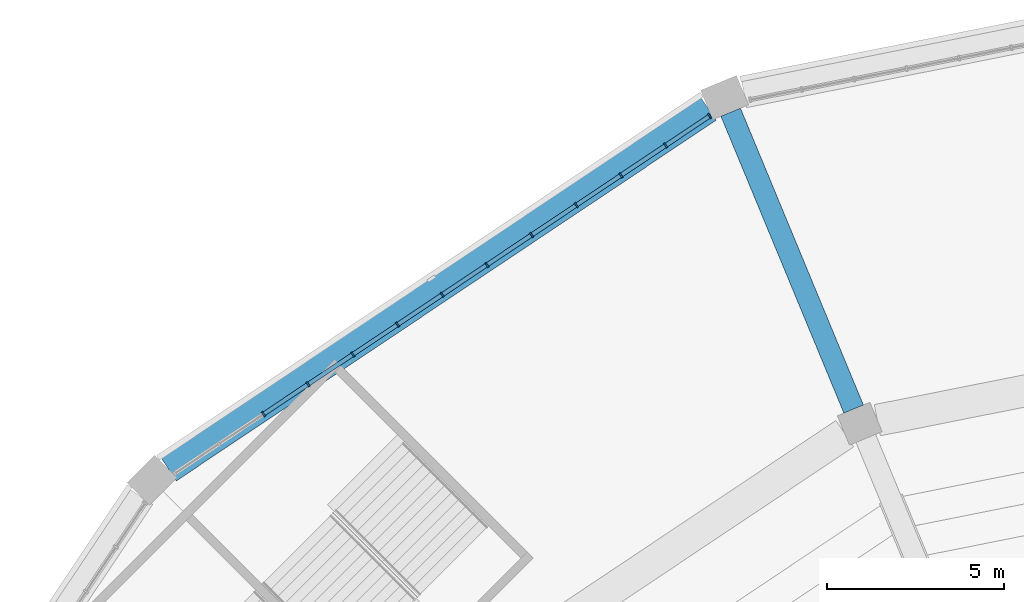
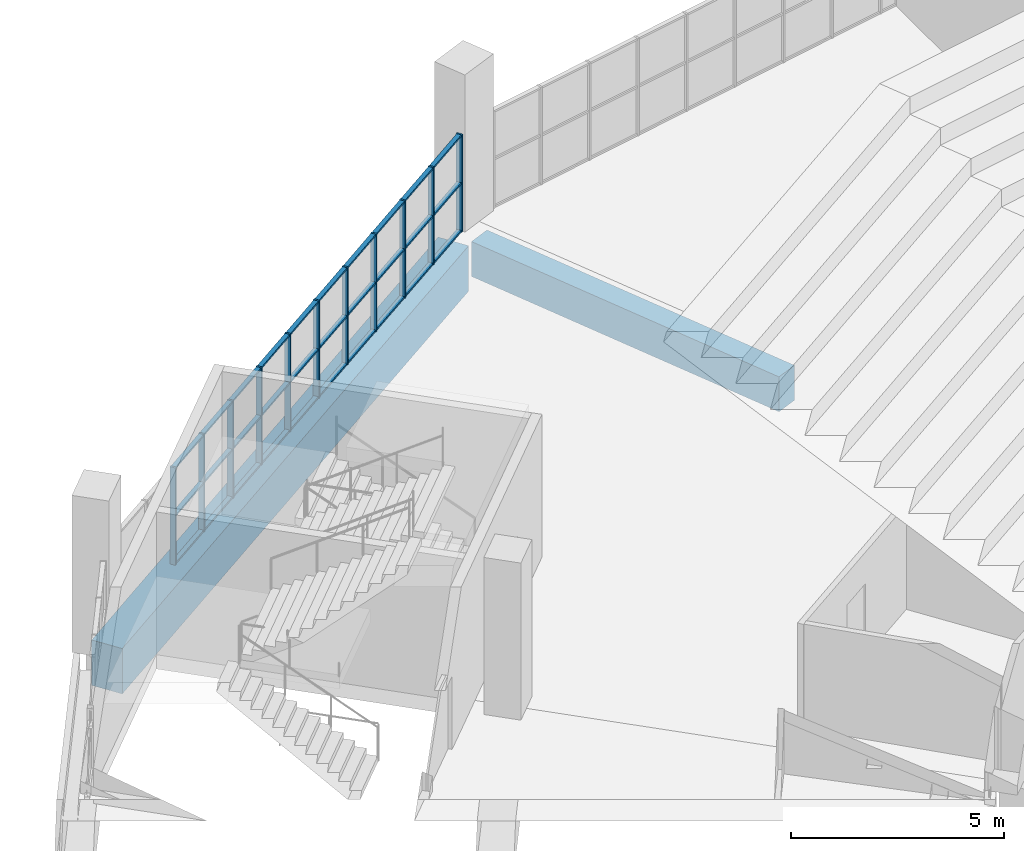
# One storey, part 48 of 249: 41 members, 2 beams, 1 element without a shape of its own.
"""IFC4 building model written with IfcOpenShell, lengths in metres."""

from ifc_helpers import new_model, si_unit, direction, frame, origin, origin_2d, place, context, subcontext, project, spatial, rectangle, extrude, material, material_profile, profile_set, type_object, element, aggregate, save


model = new_model("IFC4")

# Units and contexts
model_context = context("Model", 3, precision=1e-05, world=origin(), true_north=direction((0.0, 1.0)))
body_context = subcontext(model_context, "Body", "Model", "MODEL_VIEW")
ifc_project = project(units=[si_unit("LENGTHUNIT", "METRE"), si_unit("AREAUNIT", "SQUARE_METRE"), si_unit("VOLUMEUNIT", "CUBIC_METRE"), si_unit("PLANEANGLEUNIT", "RADIAN"), si_unit("MASSUNIT", "GRAM", prefix="KILO")], contexts=[model_context])

# Site, building, storey
site_placement = place(None, origin())
site = spatial("IfcSite", under=ifc_project, at=site_placement, CompositionType="ELEMENT")
building_placement = place(site_placement, origin())
building = spatial("IfcBuilding", under=site, at=building_placement, Name="Ogive Plaza Stadium", CompositionType="ELEMENT")
storey_placement = place(building_placement, frame((0.0, 0.0, 13.5)))
storey = spatial("IfcBuildingStorey", under=building, at=storey_placement, Name="L03", CompositionType="ELEMENT", Elevation=13.5)

# Curtain wall, members
ifc_material_1 = material(Name="Bronze-anodised aluminium with laminated glass", Category="aluminium")
curtain_wall_type = type_object("IfcCurtainWallType", Name="Lancet curtain wall", PredefinedType="NOTDEFINED", material=ifc_material_1)
curtain_wall_placement = place(storey_placement, origin())
curtain_wall = element("IfcCurtainWall", 1, at=curtain_wall_placement, inside=storey, type_object=curtain_wall_type, Name="CURTAIN WALL B30 L03", PredefinedType="NOTDEFINED")
ifc_material_2 = material(Name="Bronze-anodised aluminium", Category="aluminium")
ifc_material_profile_1 = material_profile(ifc_material_2, rectangle(XDim=0.14990234375, YDim=0.050048828125, at=origin_2d()), Name="AL 150x50")
ifc_profile_set_1 = profile_set([ifc_material_profile_1], Name="Bronze-anodised aluminium")
member_type_1 = type_object("IfcMemberType", Name="Curtain wall mullion 50x150", PredefinedType="MULLION", material=ifc_profile_set_1)
member_1_placement = place(storey_placement, frame((-66.19677734375, 89.725341796875, 0.0), z_axis=(0.0, 0.0, 1.0), x_axis=(-0.55557023302, 0.831469612303, 0.0)))
member_1 = element("IfcMember", 2, at=member_1_placement, type_object=member_type_1, Name="CW-B30-L03 mullion 3", PredefinedType="MULLION", context=body_context, shape_type="SweptSolid", body=[
    extrude(rectangle(XDim=0.14990234375, YDim=0.050048828125, at=origin_2d()), origin(), (0.0, 0.0, 1.0), 2.7900390625),
])
member_2_placement = place(storey_placement, frame((-64.930908203125, 90.571044921875, 0.0), z_axis=(0.0, 0.0, 1.0), x_axis=(-0.55557023302, 0.831469612303, 0.0)))
member_2 = element("IfcMember", 3, at=member_2_placement, type_object=member_type_1, Name="CW-B30-L03 mullion 4", PredefinedType="MULLION", context=body_context, shape_type="SweptSolid", body=[
    extrude(rectangle(XDim=0.14990234375, YDim=0.050048828125, at=origin_2d()), origin(), (0.0, 0.0, 1.0), 2.7900390625),
])
member_3_placement = place(storey_placement, frame((-63.665283203125, 91.416748046875, 0.0), z_axis=(0.0, 0.0, 1.0), x_axis=(-0.55557023302, 0.831469612303, 0.0)))
member_3 = element("IfcMember", 4, at=member_3_placement, type_object=member_type_1, Name="CW-B30-L03 mullion 5", PredefinedType="MULLION", context=body_context, shape_type="SweptSolid", body=[
    extrude(rectangle(XDim=0.14990234375, YDim=0.050048828125, at=origin_2d()), origin(), (0.0, 0.0, 1.0), 2.7900390625),
])
member_4_placement = place(storey_placement, frame((-62.3994140625, 92.2626953125, 0.0), z_axis=(0.0, 0.0, 1.0), x_axis=(-0.55557023302, 0.831469612303, 0.0)))
member_4 = element("IfcMember", 5, at=member_4_placement, type_object=member_type_1, Name="CW-B30-L03 mullion 6", PredefinedType="MULLION", context=body_context, shape_type="SweptSolid", body=[
    extrude(rectangle(XDim=0.14990234375, YDim=0.050048828125, at=origin_2d()), origin(), (0.0, 0.0, 1.0), 2.7900390625),
])
member_5_placement = place(storey_placement, frame((-61.133544921875, 93.1083984375, 0.0), z_axis=(0.0, 0.0, 1.0), x_axis=(-0.55557023302, 0.831469612303, 0.0)))
member_5 = element("IfcMember", 6, at=member_5_placement, type_object=member_type_1, Name="CW-B30-L03 mullion 7", PredefinedType="MULLION", context=body_context, shape_type="SweptSolid", body=[
    extrude(rectangle(XDim=0.14990234375, YDim=0.050048828125, at=origin_2d()), origin(), (0.0, 0.0, 1.0), 2.7900390625),
])
member_6_placement = place(storey_placement, frame((-59.867919921875, 93.9541015625, 0.0), z_axis=(0.0, 0.0, 1.0), x_axis=(-0.55557023302, 0.831469612303, 0.0)))
member_6 = element("IfcMember", 7, at=member_6_placement, type_object=member_type_1, Name="CW-B30-L03 mullion 8", PredefinedType="MULLION", context=body_context, shape_type="SweptSolid", body=[
    extrude(rectangle(XDim=0.14990234375, YDim=0.050048828125, at=origin_2d()), origin(), (0.0, 0.0, 1.0), 2.7900390625),
])
member_7_placement = place(storey_placement, frame((-58.60205078125, 94.7998046875, 0.0), z_axis=(0.0, 0.0, 1.0), x_axis=(-0.55557023302, 0.831469612303, 0.0)))
member_7 = element("IfcMember", 8, at=member_7_placement, type_object=member_type_1, Name="CW-B30-L03 mullion 9", PredefinedType="MULLION", context=body_context, shape_type="SweptSolid", body=[
    extrude(rectangle(XDim=0.14990234375, YDim=0.050048828125, at=origin_2d()), origin(), (0.0, 0.0, 1.0), 2.7900390625),
])
member_8_placement = place(storey_placement, frame((-57.336181640625, 95.645751953125, 0.0), z_axis=(0.0, 0.0, 1.0), x_axis=(-0.55557023302, 0.831469612303, 0.0)))
member_8 = element("IfcMember", 9, at=member_8_placement, type_object=member_type_1, Name="CW-B30-L03 mullion 10", PredefinedType="MULLION", context=body_context, shape_type="SweptSolid", body=[
    extrude(rectangle(XDim=0.14990234375, YDim=0.050048828125, at=origin_2d()), origin(), (0.0, 0.0, 1.0), 2.7900390625),
])
member_9_placement = place(storey_placement, frame((-56.070556640625, 96.491455078125, 0.0), z_axis=(0.0, 0.0, 1.0), x_axis=(-0.55557023302, 0.831469612303, 0.0)))
member_9 = element("IfcMember", 10, at=member_9_placement, type_object=member_type_1, Name="CW-B30-L03 mullion 11", PredefinedType="MULLION", context=body_context, shape_type="SweptSolid", body=[
    extrude(rectangle(XDim=0.14990234375, YDim=0.050048828125, at=origin_2d()), origin(), (0.0, 0.0, 1.0), 2.7900390625),
])
member_10_placement = place(storey_placement, frame((-54.8046875, 97.337158203125, 0.0), z_axis=(0.0, 0.0, 1.0), x_axis=(-0.55557023302, 0.831469612303, 0.0)))
member_10 = element("IfcMember", 11, at=member_10_placement, type_object=member_type_1, Name="CW-B30-L03 mullion 12", PredefinedType="MULLION", context=body_context, shape_type="SweptSolid", body=[
    extrude(rectangle(XDim=0.14990234375, YDim=0.050048828125, at=origin_2d()), origin(), (0.0, 0.0, 1.0), 2.7900390625),
])
member_11_placement = place(storey_placement, frame((-53.559814453125, 98.169189453125, 0.0), z_axis=(0.0, 0.0, 1.0), x_axis=(-0.55557023302, 0.831469612303, 0.0)))
member_11 = element("IfcMember", 12, at=member_11_placement, type_object=member_type_1, Name="CW-B30-L03 mullion 13", PredefinedType="MULLION", context=body_context, shape_type="SweptSolid", body=[
    extrude(rectangle(XDim=0.14990234375, YDim=0.050048828125, at=origin_2d()), origin(), (0.0, 0.0, 1.0), 2.7900390625),
])
ifc_material_3 = material(Name="Bronze-anodised aluminium", Category="aluminium")
ifc_material_profile_2 = material_profile(ifc_material_3, rectangle(XDim=0.1201171875, YDim=0.050048828125, at=origin_2d()), Name="AL 120x50")
ifc_profile_set_2 = profile_set([ifc_material_profile_2], Name="Bronze-anodised aluminium")
member_type_2 = type_object("IfcMemberType", Name="Curtain wall transom 50x120", PredefinedType="USERDEFINED", material=ifc_profile_set_2)
member_12_placement = place(storey_placement, frame((-66.176025390625, 89.7392578125, 0.02490234375), z_axis=(0.83153975619, 0.555465240925, 0.0), x_axis=(-0.555465240925, 0.83153975619, 0.0)))
member_12 = element("IfcMember", 13, at=member_12_placement, type_object=member_type_2, Name="CW-B30-L03 transom 3.1", ObjectType="TRANSOM", PredefinedType="USERDEFINED", context=body_context, shape_type="SweptSolid", body=[
    extrude(rectangle(XDim=0.1201171875, YDim=0.050048828125, at=origin_2d()), origin(), (0.0, 0.0, 1.0), 1.472412109375),
])
member_13_placement = place(storey_placement, frame((-66.176025390625, 89.7392578125, 1.39501953125), z_axis=(0.83153975619, 0.555465240925, 0.0), x_axis=(-0.555465240925, 0.83153975619, 0.0)))
member_13 = element("IfcMember", 14, at=member_13_placement, type_object=member_type_2, Name="CW-B30-L03 transom 3.2", ObjectType="TRANSOM", PredefinedType="USERDEFINED", context=body_context, shape_type="SweptSolid", body=[
    extrude(rectangle(XDim=0.1201171875, YDim=0.050048828125, at=origin_2d()), origin(), (0.0, 0.0, 1.0), 1.472412109375),
])
member_14_placement = place(storey_placement, frame((-66.176025390625, 89.7392578125, 2.764892578125), z_axis=(0.83153975619, 0.555465240925, 0.0), x_axis=(-0.555465240925, 0.83153975619, 0.0)))
member_14 = element("IfcMember", 15, at=member_14_placement, type_object=member_type_2, Name="CW-B30-L03 transom 3.3", ObjectType="TRANSOM", PredefinedType="USERDEFINED", context=body_context, shape_type="SweptSolid", body=[
    extrude(rectangle(XDim=0.1201171875, YDim=0.050048828125, at=origin_2d()), origin(), (0.0, 0.0, 1.0), 1.472412109375),
])
member_15_placement = place(storey_placement, frame((-64.91015625, 90.5849609375, 0.02490234375), z_axis=(0.831488586159, 0.555541835587, 0.0), x_axis=(-0.555541835587, 0.831488586159, 0.0)))
member_15 = element("IfcMember", 16, at=member_15_placement, type_object=member_type_2, Name="CW-B30-L03 transom 4.1", ObjectType="TRANSOM", PredefinedType="USERDEFINED", context=body_context, shape_type="SweptSolid", body=[
    extrude(rectangle(XDim=0.1201171875, YDim=0.050048828125, at=origin_2d()), origin(), (0.0, 0.0, 1.0), 1.47216796875),
])
member_16_placement = place(storey_placement, frame((-64.91015625, 90.5849609375, 1.39501953125), z_axis=(0.831488586159, 0.555541835587, 0.0), x_axis=(-0.555541835587, 0.831488586159, 0.0)))
member_16 = element("IfcMember", 17, at=member_16_placement, type_object=member_type_2, Name="CW-B30-L03 transom 4.2", ObjectType="TRANSOM", PredefinedType="USERDEFINED", context=body_context, shape_type="SweptSolid", body=[
    extrude(rectangle(XDim=0.1201171875, YDim=0.050048828125, at=origin_2d()), origin(), (0.0, 0.0, 1.0), 1.47216796875),
])
member_17_placement = place(storey_placement, frame((-64.91015625, 90.5849609375, 2.764892578125), z_axis=(0.831488586159, 0.555541835587, 0.0), x_axis=(-0.555541835587, 0.831488586159, 0.0)))
member_17 = element("IfcMember", 18, at=member_17_placement, type_object=member_type_2, Name="CW-B30-L03 transom 4.3", ObjectType="TRANSOM", PredefinedType="USERDEFINED", context=body_context, shape_type="SweptSolid", body=[
    extrude(rectangle(XDim=0.1201171875, YDim=0.050048828125, at=origin_2d()), origin(), (0.0, 0.0, 1.0), 1.47216796875),
])
member_18_placement = place(storey_placement, frame((-63.64453125, 91.4306640625, 0.02490234375), z_axis=(0.831463168883, 0.555579876157, 0.0), x_axis=(-0.555579876157, 0.831463168883, 0.0)))
member_18 = element("IfcMember", 19, at=member_18_placement, type_object=member_type_2, Name="CW-B30-L03 transom 5.1", ObjectType="TRANSOM", PredefinedType="USERDEFINED", context=body_context, shape_type="SweptSolid", body=[
    extrude(rectangle(XDim=0.1201171875, YDim=0.050048828125, at=origin_2d()), origin(), (0.0, 0.0, 1.0), 1.47265625),
])
member_19_placement = place(storey_placement, frame((-63.64453125, 91.4306640625, 1.39501953125), z_axis=(0.831463168883, 0.555579876157, 0.0), x_axis=(-0.555579876157, 0.831463168883, 0.0)))
member_19 = element("IfcMember", 20, at=member_19_placement, type_object=member_type_2, Name="CW-B30-L03 transom 5.2", ObjectType="TRANSOM", PredefinedType="USERDEFINED", context=body_context, shape_type="SweptSolid", body=[
    extrude(rectangle(XDim=0.1201171875, YDim=0.050048828125, at=origin_2d()), origin(), (0.0, 0.0, 1.0), 1.47265625),
])
member_20_placement = place(storey_placement, frame((-63.64453125, 91.4306640625, 2.764892578125), z_axis=(0.831463168883, 0.555579876157, 0.0), x_axis=(-0.555579876157, 0.831463168883, 0.0)))
member_20 = element("IfcMember", 21, at=member_20_placement, type_object=member_type_2, Name="CW-B30-L03 transom 5.3", ObjectType="TRANSOM", PredefinedType="USERDEFINED", context=body_context, shape_type="SweptSolid", body=[
    extrude(rectangle(XDim=0.1201171875, YDim=0.050048828125, at=origin_2d()), origin(), (0.0, 0.0, 1.0), 1.47265625),
])
member_21_placement = place(storey_placement, frame((-62.378662109375, 92.2763671875, 0.02490234375), z_axis=(0.831411982446, 0.555656472512, 0.0), x_axis=(-0.555656472512, 0.831411982446, 0.0)))
member_21 = element("IfcMember", 22, at=member_21_placement, type_object=member_type_2, Name="CW-B30-L03 transom 6.1", ObjectType="TRANSOM", PredefinedType="USERDEFINED", context=body_context, shape_type="SweptSolid", body=[
    extrude(rectangle(XDim=0.1201171875, YDim=0.050048828125, at=origin_2d()), origin(), (0.0, 0.0, 1.0), 1.472412109375),
])
member_22_placement = place(storey_placement, frame((-62.378662109375, 92.2763671875, 1.39501953125), z_axis=(0.831411982446, 0.555656472512, 0.0), x_axis=(-0.555656472512, 0.831411982446, 0.0)))
member_22 = element("IfcMember", 23, at=member_22_placement, type_object=member_type_2, Name="CW-B30-L03 transom 6.2", ObjectType="TRANSOM", PredefinedType="USERDEFINED", context=body_context, shape_type="SweptSolid", body=[
    extrude(rectangle(XDim=0.1201171875, YDim=0.050048828125, at=origin_2d()), origin(), (0.0, 0.0, 1.0), 1.472412109375),
])
member_23_placement = place(storey_placement, frame((-62.378662109375, 92.2763671875, 2.764892578125), z_axis=(0.831411982446, 0.555656472512, 0.0), x_axis=(-0.555656472512, 0.831411982446, 0.0)))
member_23 = element("IfcMember", 24, at=member_23_placement, type_object=member_type_2, Name="CW-B30-L03 transom 6.3", ObjectType="TRANSOM", PredefinedType="USERDEFINED", context=body_context, shape_type="SweptSolid", body=[
    extrude(rectangle(XDim=0.1201171875, YDim=0.050048828125, at=origin_2d()), origin(), (0.0, 0.0, 1.0), 1.472412109375),
])
member_24_placement = place(storey_placement, frame((-61.11279296875, 93.122314453125, 0.02490234375), z_axis=(0.831488586159, 0.555541835587, 0.0), x_axis=(-0.555541835587, 0.831488586159, 0.0)))
member_24 = element("IfcMember", 25, at=member_24_placement, type_object=member_type_2, Name="CW-B30-L03 transom 7.1", ObjectType="TRANSOM", PredefinedType="USERDEFINED", context=body_context, shape_type="SweptSolid", body=[
    extrude(rectangle(XDim=0.1201171875, YDim=0.050048828125, at=origin_2d()), origin(), (0.0, 0.0, 1.0), 1.47216796875),
])
member_25_placement = place(storey_placement, frame((-61.11279296875, 93.122314453125, 1.39501953125), z_axis=(0.831488586159, 0.555541835587, 0.0), x_axis=(-0.555541835587, 0.831488586159, 0.0)))
member_25 = element("IfcMember", 26, at=member_25_placement, type_object=member_type_2, Name="CW-B30-L03 transom 7.2", ObjectType="TRANSOM", PredefinedType="USERDEFINED", context=body_context, shape_type="SweptSolid", body=[
    extrude(rectangle(XDim=0.1201171875, YDim=0.050048828125, at=origin_2d()), origin(), (0.0, 0.0, 1.0), 1.47216796875),
])
member_26_placement = place(storey_placement, frame((-61.11279296875, 93.122314453125, 2.764892578125), z_axis=(0.831488586159, 0.555541835587, 0.0), x_axis=(-0.555541835587, 0.831488586159, 0.0)))
member_26 = element("IfcMember", 27, at=member_26_placement, type_object=member_type_2, Name="CW-B30-L03 transom 7.3", ObjectType="TRANSOM", PredefinedType="USERDEFINED", context=body_context, shape_type="SweptSolid", body=[
    extrude(rectangle(XDim=0.1201171875, YDim=0.050048828125, at=origin_2d()), origin(), (0.0, 0.0, 1.0), 1.47216796875),
])
member_27_placement = place(storey_placement, frame((-59.84716796875, 93.968017578125, 0.02490234375), z_axis=(0.831463168883, 0.555579876157, 0.0), x_axis=(-0.555579876157, 0.831463168883, 0.0)))
member_27 = element("IfcMember", 28, at=member_27_placement, type_object=member_type_2, Name="CW-B30-L03 transom 8.1", ObjectType="TRANSOM", PredefinedType="USERDEFINED", context=body_context, shape_type="SweptSolid", body=[
    extrude(rectangle(XDim=0.1201171875, YDim=0.050048828125, at=origin_2d()), origin(), (0.0, 0.0, 1.0), 1.47265625),
])
member_28_placement = place(storey_placement, frame((-59.84716796875, 93.968017578125, 1.39501953125), z_axis=(0.831463168883, 0.555579876157, 0.0), x_axis=(-0.555579876157, 0.831463168883, 0.0)))
member_28 = element("IfcMember", 29, at=member_28_placement, type_object=member_type_2, Name="CW-B30-L03 transom 8.2", ObjectType="TRANSOM", PredefinedType="USERDEFINED", context=body_context, shape_type="SweptSolid", body=[
    extrude(rectangle(XDim=0.1201171875, YDim=0.050048828125, at=origin_2d()), origin(), (0.0, 0.0, 1.0), 1.47265625),
])
member_29_placement = place(storey_placement, frame((-59.84716796875, 93.968017578125, 2.764892578125), z_axis=(0.831463168883, 0.555579876157, 0.0), x_axis=(-0.555579876157, 0.831463168883, 0.0)))
member_29 = element("IfcMember", 30, at=member_29_placement, type_object=member_type_2, Name="CW-B30-L03 transom 8.3", ObjectType="TRANSOM", PredefinedType="USERDEFINED", context=body_context, shape_type="SweptSolid", body=[
    extrude(rectangle(XDim=0.1201171875, YDim=0.050048828125, at=origin_2d()), origin(), (0.0, 0.0, 1.0), 1.47265625),
])
member_30_placement = place(storey_placement, frame((-58.581298828125, 94.813720703125, 0.02490234375), z_axis=(0.831411982446, 0.555656472512, 0.0), x_axis=(-0.555656472512, 0.831411982446, 0.0)))
member_30 = element("IfcMember", 31, at=member_30_placement, type_object=member_type_2, Name="CW-B30-L03 transom 9.1", ObjectType="TRANSOM", PredefinedType="USERDEFINED", context=body_context, shape_type="SweptSolid", body=[
    extrude(rectangle(XDim=0.1201171875, YDim=0.050048828125, at=origin_2d()), origin(), (0.0, 0.0, 1.0), 1.472412109375),
])
member_31_placement = place(storey_placement, frame((-58.581298828125, 94.813720703125, 1.39501953125), z_axis=(0.831411982446, 0.555656472512, 0.0), x_axis=(-0.555656472512, 0.831411982446, 0.0)))
member_31 = element("IfcMember", 32, at=member_31_placement, type_object=member_type_2, Name="CW-B30-L03 transom 9.2", ObjectType="TRANSOM", PredefinedType="USERDEFINED", context=body_context, shape_type="SweptSolid", body=[
    extrude(rectangle(XDim=0.1201171875, YDim=0.050048828125, at=origin_2d()), origin(), (0.0, 0.0, 1.0), 1.472412109375),
])
member_32_placement = place(storey_placement, frame((-58.581298828125, 94.813720703125, 2.764892578125), z_axis=(0.831411982446, 0.555656472512, 0.0), x_axis=(-0.555656472512, 0.831411982446, 0.0)))
member_32 = element("IfcMember", 33, at=member_32_placement, type_object=member_type_2, Name="CW-B30-L03 transom 9.3", ObjectType="TRANSOM", PredefinedType="USERDEFINED", context=body_context, shape_type="SweptSolid", body=[
    extrude(rectangle(XDim=0.1201171875, YDim=0.050048828125, at=origin_2d()), origin(), (0.0, 0.0, 1.0), 1.472412109375),
])
member_33_placement = place(storey_placement, frame((-57.3154296875, 95.65966796875, 0.02490234375), z_axis=(0.831488586159, 0.555541835587, 0.0), x_axis=(-0.555541835587, 0.831488586159, 0.0)))
member_33 = element("IfcMember", 34, at=member_33_placement, type_object=member_type_2, Name="CW-B30-L03 transom 10.1", ObjectType="TRANSOM", PredefinedType="USERDEFINED", context=body_context, shape_type="SweptSolid", body=[
    extrude(rectangle(XDim=0.1201171875, YDim=0.050048828125, at=origin_2d()), origin(), (0.0, 0.0, 1.0), 1.47216796875),
])
member_34_placement = place(storey_placement, frame((-57.3154296875, 95.65966796875, 1.39501953125), z_axis=(0.831488586159, 0.555541835587, 0.0), x_axis=(-0.555541835587, 0.831488586159, 0.0)))
member_34 = element("IfcMember", 35, at=member_34_placement, type_object=member_type_2, Name="CW-B30-L03 transom 10.2", ObjectType="TRANSOM", PredefinedType="USERDEFINED", context=body_context, shape_type="SweptSolid", body=[
    extrude(rectangle(XDim=0.1201171875, YDim=0.050048828125, at=origin_2d()), origin(), (0.0, 0.0, 1.0), 1.47216796875),
])
member_35_placement = place(storey_placement, frame((-57.3154296875, 95.65966796875, 2.764892578125), z_axis=(0.831488586159, 0.555541835587, 0.0), x_axis=(-0.555541835587, 0.831488586159, 0.0)))
member_35 = element("IfcMember", 36, at=member_35_placement, type_object=member_type_2, Name="CW-B30-L03 transom 10.3", ObjectType="TRANSOM", PredefinedType="USERDEFINED", context=body_context, shape_type="SweptSolid", body=[
    extrude(rectangle(XDim=0.1201171875, YDim=0.050048828125, at=origin_2d()), origin(), (0.0, 0.0, 1.0), 1.47216796875),
])
member_36_placement = place(storey_placement, frame((-56.0498046875, 96.50537109375, 0.02490234375), z_axis=(0.83153975619, 0.555465240925, 0.0), x_axis=(-0.555465240925, 0.83153975619, 0.0)))
member_36 = element("IfcMember", 37, at=member_36_placement, type_object=member_type_2, Name="CW-B30-L03 transom 11.1", ObjectType="TRANSOM", PredefinedType="USERDEFINED", context=body_context, shape_type="SweptSolid", body=[
    extrude(rectangle(XDim=0.1201171875, YDim=0.050048828125, at=origin_2d()), origin(), (0.0, 0.0, 1.0), 1.472412109375),
])
member_37_placement = place(storey_placement, frame((-56.0498046875, 96.50537109375, 1.39501953125), z_axis=(0.83153975619, 0.555465240925, 0.0), x_axis=(-0.555465240925, 0.83153975619, 0.0)))
member_37 = element("IfcMember", 38, at=member_37_placement, type_object=member_type_2, Name="CW-B30-L03 transom 11.2", ObjectType="TRANSOM", PredefinedType="USERDEFINED", context=body_context, shape_type="SweptSolid", body=[
    extrude(rectangle(XDim=0.1201171875, YDim=0.050048828125, at=origin_2d()), origin(), (0.0, 0.0, 1.0), 1.472412109375),
])
member_38_placement = place(storey_placement, frame((-56.0498046875, 96.50537109375, 2.764892578125), z_axis=(0.83153975619, 0.555465240925, 0.0), x_axis=(-0.555465240925, 0.83153975619, 0.0)))
member_38 = element("IfcMember", 39, at=member_38_placement, type_object=member_type_2, Name="CW-B30-L03 transom 11.3", ObjectType="TRANSOM", PredefinedType="USERDEFINED", context=body_context, shape_type="SweptSolid", body=[
    extrude(rectangle(XDim=0.1201171875, YDim=0.050048828125, at=origin_2d()), origin(), (0.0, 0.0, 1.0), 1.472412109375),
])
member_39_placement = place(storey_placement, frame((-54.783935546875, 97.35107421875, 0.02490234375), z_axis=(0.831426948977, 0.555634077892, 0.0), x_axis=(-0.555634077892, 0.831426948977, 0.0)))
member_39 = element("IfcMember", 40, at=member_39_placement, type_object=member_type_2, Name="CW-B30-L03 transom 12.1", ObjectType="TRANSOM", PredefinedType="USERDEFINED", context=body_context, shape_type="SweptSolid", body=[
    extrude(rectangle(XDim=0.1201171875, YDim=0.050048828125, at=origin_2d()), origin(), (0.0, 0.0, 1.0), 1.447265625),
])
member_40_placement = place(storey_placement, frame((-54.783935546875, 97.35107421875, 1.39501953125), z_axis=(0.831426948977, 0.555634077892, 0.0), x_axis=(-0.555634077892, 0.831426948977, 0.0)))
member_40 = element("IfcMember", 41, at=member_40_placement, type_object=member_type_2, Name="CW-B30-L03 transom 12.2", ObjectType="TRANSOM", PredefinedType="USERDEFINED", context=body_context, shape_type="SweptSolid", body=[
    extrude(rectangle(XDim=0.1201171875, YDim=0.050048828125, at=origin_2d()), origin(), (0.0, 0.0, 1.0), 1.447265625),
])
member_41_placement = place(storey_placement, frame((-54.783935546875, 97.35107421875, 2.764892578125), z_axis=(0.831426948977, 0.555634077892, 0.0), x_axis=(-0.555634077892, 0.831426948977, 0.0)))
member_41 = element("IfcMember", 42, at=member_41_placement, type_object=member_type_2, Name="CW-B30-L03 transom 12.3", ObjectType="TRANSOM", PredefinedType="USERDEFINED", context=body_context, shape_type="SweptSolid", body=[
    extrude(rectangle(XDim=0.1201171875, YDim=0.050048828125, at=origin_2d()), origin(), (0.0, 0.0, 1.0), 1.447265625),
])
aggregate(curtain_wall, [member_1, member_2, member_3, member_4, member_5, member_6, member_7, member_8, member_9, member_10, member_11, member_12, member_13, member_14, member_15, member_16, member_17, member_18, member_19, member_20, member_21, member_22, member_23, member_24, member_25, member_26, member_27, member_28, member_29, member_30, member_31, member_32, member_33, member_34, member_35, member_36, member_37, member_38, member_39, member_40, member_41])

# Beams
ifc_material_4 = material(Name="Concrete C40/50", Category="concrete")
ifc_material_profile_3 = material_profile(ifc_material_4, rectangle(XDim=0.60009765625, YDim=1.0, at=origin_2d()), Name="RC 600x1000")
ifc_profile_set_3 = profile_set([ifc_material_profile_3], Name="Concrete C40/50")
beam_type_1 = type_object("IfcBeamType", Name="RC radial beam 600x1000", PredefinedType="BEAM", material=ifc_profile_set_3)
beam_1_placement = place(storey_placement, frame((-49.4794921875, 89.870849609375, -0.909912109375), z_axis=(-0.382677193504, 0.923882116707, 0.0), x_axis=(-0.923882116707, -0.382677193504, 0.0)))
element("IfcBeam", 43, at=beam_1_placement, inside=storey, type_object=beam_type_1, Name="Radial beam L03 R31 F4F5", PredefinedType="BEAM", context=body_context, shape_type="SweptSolid", body=[
    extrude(rectangle(XDim=0.60009765625, YDim=1.0, at=origin_2d()), origin(), (0.0, 0.0, 1.0), 9.10009765625),
])
ifc_material_5 = material(Name="Concrete C40/50", Category="concrete")
ifc_material_profile_4 = material_profile(ifc_material_5, rectangle(XDim=0.800048828125, YDim=1.300048828125, at=origin_2d()), Name="RC 800x1300")
ifc_profile_set_4 = profile_set([ifc_material_profile_4], Name="Concrete C40/50")
beam_type_2 = type_object("IfcBeamType", Name="RC spandrel beam 800x1300", PredefinedType="SPANDREL", material=ifc_profile_set_4)
beam_2_placement = place(storey_placement, frame((-68.88916015625, 88.1669921875, -1.06005859375), z_axis=(0.831477897484, 0.555557833169, 0.0), x_axis=(-0.555557833169, 0.831477897484, 0.0)))
element("IfcBeam", 44, at=beam_2_placement, inside=storey, type_object=beam_type_2, Name="Ring beam F5 L03 B30", PredefinedType="SPANDREL", context=body_context, shape_type="SweptSolid", body=[
    extrude(rectangle(XDim=0.800048828125, YDim=1.300048828125, at=origin_2d()), origin(), (0.0, 0.0, 1.0), 18.387451171875),
])

save(model, "model.ifc")
